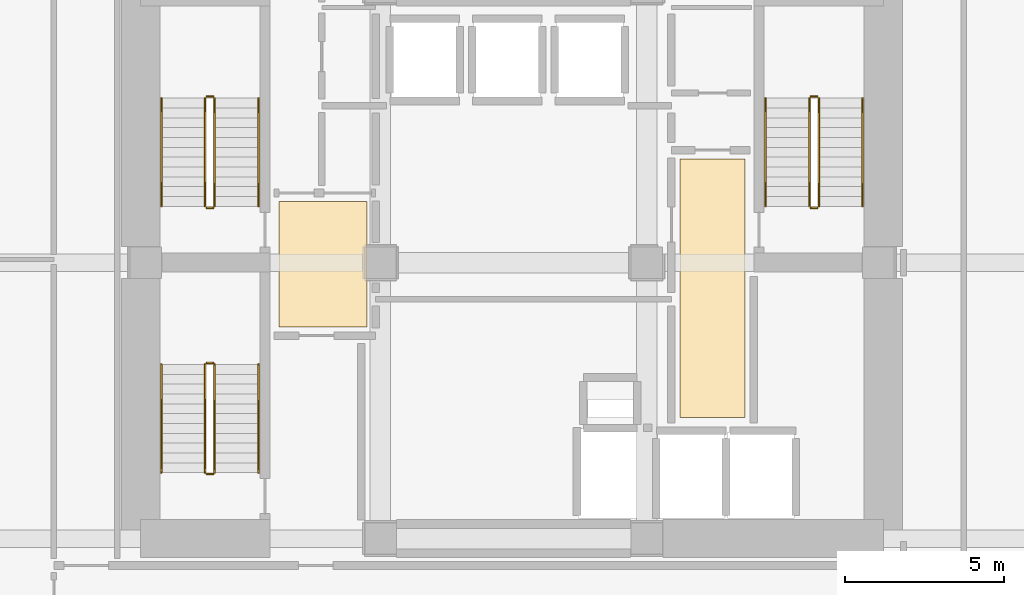
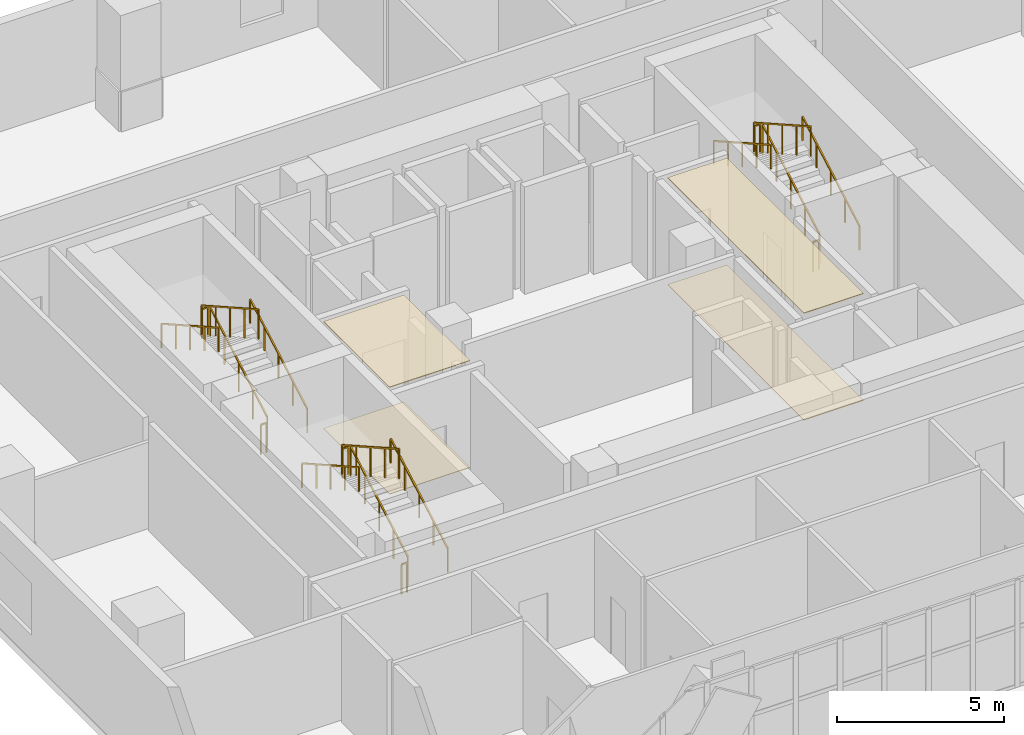
# One storey, part 18 of 20: 18 railings, 4 coverings.
"""IFC4 building model written with IfcOpenShell, lengths in metres."""

from ifc_helpers import new_model, si_unit, direction, frame, origin, origin_2d, place, context, subcontext, project, spatial, polyline, rectangle, outline, extrude, material, layer, layer_set, type_object, element, save


model = new_model("IFC4")

# Units and contexts
model_context = context("Model", 3, precision=1e-05, world=origin(), true_north=direction((0.0, 1.0)))
body_context = subcontext(model_context, "Body", "Model", "MODEL_VIEW")
ifc_project = project(units=[si_unit("LENGTHUNIT", "METRE"), si_unit("AREAUNIT", "SQUARE_METRE"), si_unit("VOLUMEUNIT", "CUBIC_METRE"), si_unit("PLANEANGLEUNIT", "RADIAN"), si_unit("MASSUNIT", "GRAM", prefix="KILO")], contexts=[model_context])

# Site, building, storey
site_placement = place(None, origin())
site = spatial("IfcSite", under=ifc_project, at=site_placement, CompositionType="ELEMENT")
building_placement = place(site_placement, origin())
building = spatial("IfcBuilding", under=site, at=building_placement, Name="Solanera Arch Residences", CompositionType="ELEMENT")
storey_placement = place(building_placement, frame((0.0, 0.0, 9.39990234375)))
storey = spatial("IfcBuildingStorey", under=building, at=storey_placement, Name="L02", CompositionType="ELEMENT", Elevation=9.39990234375)

# Coverings
ifc_material_1 = material(Name="Porcelain Acoustic Floor Tile", Category="ceramic")
ifc_layer_1 = layer(ifc_material_1, 0.02001953125)
ifc_layer_set_1 = layer_set([ifc_layer_1], Name="Porcelain Acoustic Floor Tile")
covering_type_1 = type_object("IfcCoveringType", Name="Porcelain Acoustic Floor Finish FLR-20", PredefinedType="FLOORING", material=ifc_layer_set_1)
covering_1_placement = place(storey_placement, origin())
element("IfcCovering", 1, at=covering_1_placement, inside=storey, type_object=covering_type_1, Name="L02-FFL-W Porcelain Floor Finish", PredefinedType="FLOORING", context=body_context, shape_type="SweptSolid", body=[
    extrude(outline(polyline([(20.375, 28.675048828125), (17.594970703125, 28.675048828125), (17.594970703125, 32.625), (20.375, 32.625), (20.375, 28.675048828125)])), origin(), (0.0, 0.0, 1.0), 0.02001953125),
])
covering_2_placement = place(storey_placement, origin())
element("IfcCovering", 2, at=covering_2_placement, inside=storey, type_object=covering_type_1, Name="L02-FFL-E Porcelain Floor Finish", PredefinedType="FLOORING", context=body_context, shape_type="SweptSolid", body=[
    extrude(outline(polyline([(32.304931640625, 25.824951171875), (30.25, 25.824951171875), (30.25, 33.97509765625), (32.304931640625, 33.97509765625), (32.304931640625, 25.824951171875)])), origin(), (0.0, 0.0, 1.0), 0.02001953125),
])

# Railings
ifc_material_2 = material(Name="Steel S355 (ASTM A992 / A572 Grade 50)", Category="steel")
railing_type_1 = type_object("IfcRailingType", Name="Stair Guardrail GR-1100", PredefinedType="GUARDRAIL", material=ifc_material_2)
railing_1_placement = place(storey_placement, frame((15.570068359375, 32.47998046875, 0.16015625)))
element("IfcRailing", 3, at=railing_1_placement, inside=storey, type_object=railing_type_1, Name="L02 ST-T1 stair guard 1", PredefinedType="GUARDRAIL", context=body_context, shape_type="SweptSolid", body=[
    extrude(rectangle(XDim=0.048095703125, YDim=0.048095703125, at=origin_2d()), frame((0.0, 0.0, 1.076171875), z_axis=(0.0, 0.87081354652, 0.491613432685), x_axis=(-1.0, 0.0, 0.0)), (0.0, 0.0, 1.0), 3.915771484375),
    extrude(rectangle(XDim=0.0419921875, YDim=0.0419921875, at=origin_2d()), origin(), (0.0, 0.0, 1.0), 1.052001953125),
    extrude(rectangle(XDim=0.0419921875, YDim=0.0419921875, at=origin_2d()), frame((0.0, 0.8525390625, 0.481201171875)), (0.0, 0.0, 1.0), 1.052001953125),
    extrude(rectangle(XDim=0.0419921875, YDim=0.0419921875, at=origin_2d()), frame((0.0, 1.705078125, 0.96240234375)), (0.0, 0.0, 1.0), 1.052001953125),
    extrude(rectangle(XDim=0.0419921875, YDim=0.0419921875, at=origin_2d()), frame((0.0, 2.557373046875, 1.44384765625)), (0.0, 0.0, 1.0), 1.052001953125),
    extrude(rectangle(XDim=0.0419921875, YDim=0.0419921875, at=origin_2d()), frame((0.0, 3.409912109375, 1.925048828125)), (0.0, 0.0, 1.0), 1.052001953125),
])
railing_2_placement = place(storey_placement, frame((15.52001953125, 35.93994140625, 2.085205078125)))
element("IfcRailing", 4, at=railing_2_placement, inside=storey, type_object=railing_type_1, Name="L02 ST-T1 stair guard 2", PredefinedType="GUARDRAIL", context=body_context, shape_type="SweptSolid", body=[
    extrude(rectangle(XDim=0.048095703125, YDim=0.048095703125, at=origin_2d()), frame((0.0, 0.0, 1.076171875), z_axis=(-1.0, 0.0, 0.0), x_axis=(0.0, -1.0, 0.0)), (0.0, 0.0, 1.0), 0.199951171875),
    extrude(rectangle(XDim=0.0419921875, YDim=0.0419921875, at=origin_2d()), origin(), (0.0, 0.0, 1.0), 1.052001953125),
    extrude(rectangle(XDim=0.0419921875, YDim=0.0419921875, at=origin_2d()), frame((-0.199951171875, 0.0, 0.0)), (0.0, 0.0, 1.0), 1.052001953125),
])
railing_3_placement = place(storey_placement, frame((15.27001953125, 35.889892578125, 2.260009765625)))
element("IfcRailing", 5, at=railing_3_placement, inside=storey, type_object=railing_type_1, Name="L02 ST-T1 stair guard 3", PredefinedType="GUARDRAIL", context=body_context, shape_type="SweptSolid", body=[
    extrude(rectangle(XDim=0.048095703125, YDim=0.048095703125, at=origin_2d()), frame((0.0, 0.0, 1.076171875), z_axis=(0.0, -0.87081354652, 0.491613432685), x_axis=(1.0, 0.0, 0.0)), (0.0, 0.0, 1.0), 3.915771484375),
    extrude(rectangle(XDim=0.0419921875, YDim=0.0419921875, at=origin_2d()), origin(), (0.0, 0.0, 1.0), 1.052001953125),
    extrude(rectangle(XDim=0.0419921875, YDim=0.0419921875, at=origin_2d()), frame((0.0, -0.8525390625, 0.481201171875)), (0.0, 0.0, 1.0), 1.052001953125),
    extrude(rectangle(XDim=0.0419921875, YDim=0.0419921875, at=origin_2d()), frame((0.0, -1.705078125, 0.96240234375)), (0.0, 0.0, 1.0), 1.052001953125),
    extrude(rectangle(XDim=0.0419921875, YDim=0.0419921875, at=origin_2d()), frame((0.0, -2.557373046875, 1.44384765625)), (0.0, 0.0, 1.0), 1.052001953125),
    extrude(rectangle(XDim=0.0419921875, YDim=0.0419921875, at=origin_2d()), frame((0.0, -3.409912109375, 1.925048828125)), (0.0, 0.0, 1.0), 1.052001953125),
])
railing_4_placement = place(storey_placement, frame((15.52001953125, 32.429931640625, -0.014892578125)))
element("IfcRailing", 6, at=railing_4_placement, inside=storey, type_object=railing_type_1, Name="L02 ST-T1 stair guard 4", PredefinedType="GUARDRAIL", context=body_context, shape_type="SweptSolid", body=[
    extrude(rectangle(XDim=0.048095703125, YDim=0.048095703125, at=origin_2d()), frame((0.0, 0.0, 1.076171875), z_axis=(-1.0, 0.0, 0.0), x_axis=(0.0, -1.0, 0.0)), (0.0, 0.0, 1.0), 0.199951171875),
    extrude(rectangle(XDim=0.0419921875, YDim=0.0419921875, at=origin_2d()), origin(), (0.0, 0.0, 1.0), 1.052001953125),
    extrude(rectangle(XDim=0.0419921875, YDim=0.0419921875, at=origin_2d()), frame((-0.199951171875, 0.0, 0.0)), (0.0, 0.0, 1.0), 1.052001953125),
])
railing_5_placement = place(storey_placement, frame((34.6298828125, 32.47998046875, 0.16015625)))
element("IfcRailing", 7, at=railing_5_placement, inside=storey, type_object=railing_type_1, Name="L02 ST-T2 stair guard 1", PredefinedType="GUARDRAIL", context=body_context, shape_type="SweptSolid", body=[
    extrude(rectangle(XDim=0.048095703125, YDim=0.048095703125, at=origin_2d()), frame((0.0, 0.0, 1.076171875), z_axis=(0.0, 0.87081354652, 0.491613432685), x_axis=(-1.0, 0.0, 0.0)), (0.0, 0.0, 1.0), 3.915771484375),
    extrude(rectangle(XDim=0.0419921875, YDim=0.0419921875, at=origin_2d()), origin(), (0.0, 0.0, 1.0), 1.052001953125),
    extrude(rectangle(XDim=0.0419921875, YDim=0.0419921875, at=origin_2d()), frame((0.0, 0.8525390625, 0.481201171875)), (0.0, 0.0, 1.0), 1.052001953125),
    extrude(rectangle(XDim=0.0419921875, YDim=0.0419921875, at=origin_2d()), frame((0.0, 1.705078125, 0.96240234375)), (0.0, 0.0, 1.0), 1.052001953125),
    extrude(rectangle(XDim=0.0419921875, YDim=0.0419921875, at=origin_2d()), frame((0.0, 2.557373046875, 1.44384765625)), (0.0, 0.0, 1.0), 1.052001953125),
    extrude(rectangle(XDim=0.0419921875, YDim=0.0419921875, at=origin_2d()), frame((0.0, 3.409912109375, 1.925048828125)), (0.0, 0.0, 1.0), 1.052001953125),
])
railing_6_placement = place(storey_placement, frame((34.580078125, 35.93994140625, 2.085205078125)))
element("IfcRailing", 8, at=railing_6_placement, inside=storey, type_object=railing_type_1, Name="L02 ST-T2 stair guard 2", PredefinedType="GUARDRAIL", context=body_context, shape_type="SweptSolid", body=[
    extrude(rectangle(XDim=0.048095703125, YDim=0.048095703125, at=origin_2d()), frame((0.0, 0.0, 1.076171875), z_axis=(-1.0, 0.0, 0.0), x_axis=(0.0, -1.0, 0.0)), (0.0, 0.0, 1.0), 0.2001953125),
    extrude(rectangle(XDim=0.0419921875, YDim=0.0419921875, at=origin_2d()), origin(), (0.0, 0.0, 1.0), 1.052001953125),
    extrude(rectangle(XDim=0.0419921875, YDim=0.0419921875, at=origin_2d()), frame((-0.2001953125, 0.0, 0.0)), (0.0, 0.0, 1.0), 1.052001953125),
])
railing_7_placement = place(storey_placement, frame((34.330078125, 35.889892578125, 2.260009765625)))
element("IfcRailing", 9, at=railing_7_placement, inside=storey, type_object=railing_type_1, Name="L02 ST-T2 stair guard 3", PredefinedType="GUARDRAIL", context=body_context, shape_type="SweptSolid", body=[
    extrude(rectangle(XDim=0.048095703125, YDim=0.048095703125, at=origin_2d()), frame((0.0, 0.0, 1.076171875), z_axis=(0.0, -0.87081354652, 0.491613432685), x_axis=(1.0, 0.0, 0.0)), (0.0, 0.0, 1.0), 3.915771484375),
    extrude(rectangle(XDim=0.0419921875, YDim=0.0419921875, at=origin_2d()), origin(), (0.0, 0.0, 1.0), 1.052001953125),
    extrude(rectangle(XDim=0.0419921875, YDim=0.0419921875, at=origin_2d()), frame((0.0, -0.8525390625, 0.481201171875)), (0.0, 0.0, 1.0), 1.052001953125),
    extrude(rectangle(XDim=0.0419921875, YDim=0.0419921875, at=origin_2d()), frame((0.0, -1.705078125, 0.96240234375)), (0.0, 0.0, 1.0), 1.052001953125),
    extrude(rectangle(XDim=0.0419921875, YDim=0.0419921875, at=origin_2d()), frame((0.0, -2.557373046875, 1.44384765625)), (0.0, 0.0, 1.0), 1.052001953125),
    extrude(rectangle(XDim=0.0419921875, YDim=0.0419921875, at=origin_2d()), frame((0.0, -3.409912109375, 1.925048828125)), (0.0, 0.0, 1.0), 1.052001953125),
])
railing_8_placement = place(storey_placement, frame((34.580078125, 32.429931640625, -0.014892578125)))
element("IfcRailing", 10, at=railing_8_placement, inside=storey, type_object=railing_type_1, Name="L02 ST-T2 stair guard 4", PredefinedType="GUARDRAIL", context=body_context, shape_type="SweptSolid", body=[
    extrude(rectangle(XDim=0.048095703125, YDim=0.048095703125, at=origin_2d()), frame((0.0, 0.0, 1.076171875), z_axis=(-1.0, 0.0, 0.0), x_axis=(0.0, -1.0, 0.0)), (0.0, 0.0, 1.0), 0.2001953125),
    extrude(rectangle(XDim=0.0419921875, YDim=0.0419921875, at=origin_2d()), origin(), (0.0, 0.0, 1.0), 1.052001953125),
    extrude(rectangle(XDim=0.0419921875, YDim=0.0419921875, at=origin_2d()), frame((-0.2001953125, 0.0, 0.0)), (0.0, 0.0, 1.0), 1.052001953125),
])
railing_9_placement = place(storey_placement, frame((15.570068359375, 24.080078125, 0.16015625)))
element("IfcRailing", 11, at=railing_9_placement, inside=storey, type_object=railing_type_1, Name="L02 ST-T3 stair guard 1", PredefinedType="GUARDRAIL", context=body_context, shape_type="SweptSolid", body=[
    extrude(rectangle(XDim=0.048095703125, YDim=0.048095703125, at=origin_2d()), frame((0.0, 0.0, 1.076171875), z_axis=(0.0, 0.87081354652, 0.491613432685), x_axis=(-1.0, 0.0, 0.0)), (0.0, 0.0, 1.0), 3.915771484375),
    extrude(rectangle(XDim=0.0419921875, YDim=0.0419921875, at=origin_2d()), origin(), (0.0, 0.0, 1.0), 1.052001953125),
    extrude(rectangle(XDim=0.0419921875, YDim=0.0419921875, at=origin_2d()), frame((0.0, 0.8525390625, 0.481201171875)), (0.0, 0.0, 1.0), 1.052001953125),
    extrude(rectangle(XDim=0.0419921875, YDim=0.0419921875, at=origin_2d()), frame((0.0, 1.705078125, 0.96240234375)), (0.0, 0.0, 1.0), 1.052001953125),
    extrude(rectangle(XDim=0.0419921875, YDim=0.0419921875, at=origin_2d()), frame((0.0, 2.557373046875, 1.44384765625)), (0.0, 0.0, 1.0), 1.052001953125),
    extrude(rectangle(XDim=0.0419921875, YDim=0.0419921875, at=origin_2d()), frame((0.0, 3.409912109375, 1.925048828125)), (0.0, 0.0, 1.0), 1.052001953125),
])
railing_10_placement = place(storey_placement, frame((15.52001953125, 27.5400390625, 2.085205078125)))
element("IfcRailing", 12, at=railing_10_placement, inside=storey, type_object=railing_type_1, Name="L02 ST-T3 stair guard 2", PredefinedType="GUARDRAIL", context=body_context, shape_type="SweptSolid", body=[
    extrude(rectangle(XDim=0.048095703125, YDim=0.048095703125, at=origin_2d()), frame((0.0, 0.0, 1.076171875), z_axis=(-1.0, 0.0, 0.0), x_axis=(0.0, -1.0, 0.0)), (0.0, 0.0, 1.0), 0.199951171875),
    extrude(rectangle(XDim=0.0419921875, YDim=0.0419921875, at=origin_2d()), origin(), (0.0, 0.0, 1.0), 1.052001953125),
    extrude(rectangle(XDim=0.0419921875, YDim=0.0419921875, at=origin_2d()), frame((-0.199951171875, 0.0, 0.0)), (0.0, 0.0, 1.0), 1.052001953125),
])
railing_11_placement = place(storey_placement, frame((15.27001953125, 27.489990234375, 2.260009765625)))
element("IfcRailing", 13, at=railing_11_placement, inside=storey, type_object=railing_type_1, Name="L02 ST-T3 stair guard 3", PredefinedType="GUARDRAIL", context=body_context, shape_type="SweptSolid", body=[
    extrude(rectangle(XDim=0.048095703125, YDim=0.048095703125, at=origin_2d()), frame((0.0, 0.0, 1.076171875), z_axis=(0.0, -0.87081354652, 0.491613432685), x_axis=(1.0, 0.0, 0.0)), (0.0, 0.0, 1.0), 3.915771484375),
    extrude(rectangle(XDim=0.0419921875, YDim=0.0419921875, at=origin_2d()), origin(), (0.0, 0.0, 1.0), 1.052001953125),
    extrude(rectangle(XDim=0.0419921875, YDim=0.0419921875, at=origin_2d()), frame((0.0, -0.8525390625, 0.481201171875)), (0.0, 0.0, 1.0), 1.052001953125),
    extrude(rectangle(XDim=0.0419921875, YDim=0.0419921875, at=origin_2d()), frame((0.0, -1.705078125, 0.96240234375)), (0.0, 0.0, 1.0), 1.052001953125),
    extrude(rectangle(XDim=0.0419921875, YDim=0.0419921875, at=origin_2d()), frame((0.0, -2.557373046875, 1.44384765625)), (0.0, 0.0, 1.0), 1.052001953125),
    extrude(rectangle(XDim=0.0419921875, YDim=0.0419921875, at=origin_2d()), frame((0.0, -3.409912109375, 1.925048828125)), (0.0, 0.0, 1.0), 1.052001953125),
])
railing_12_placement = place(storey_placement, frame((15.52001953125, 24.030029296875, -0.014892578125)))
element("IfcRailing", 14, at=railing_12_placement, inside=storey, type_object=railing_type_1, Name="L02 ST-T3 stair guard 4", PredefinedType="GUARDRAIL", context=body_context, shape_type="SweptSolid", body=[
    extrude(rectangle(XDim=0.048095703125, YDim=0.048095703125, at=origin_2d()), frame((0.0, 0.0, 1.076171875), z_axis=(-1.0, 0.0, 0.0), x_axis=(0.0, -1.0, 0.0)), (0.0, 0.0, 1.0), 0.199951171875),
    extrude(rectangle(XDim=0.0419921875, YDim=0.0419921875, at=origin_2d()), origin(), (0.0, 0.0, 1.0), 1.052001953125),
    extrude(rectangle(XDim=0.0419921875, YDim=0.0419921875, at=origin_2d()), frame((-0.199951171875, 0.0, 0.0)), (0.0, 0.0, 1.0), 1.052001953125),
])
ifc_material_3 = material(Name="Steel S355 (ASTM A992 / A572 Grade 50)", Category="steel")
railing_type_2 = type_object("IfcRailingType", Name="Stair Wall Handrail HR-920", PredefinedType="HANDRAIL", material=ifc_material_3)
railing_13_placement = place(storey_placement, frame((16.949951171875, 32.47998046875, 0.175048828125)))
element("IfcRailing", 15, at=railing_13_placement, inside=storey, type_object=railing_type_2, Name="L02 ST-T1 stair handrail 1", PredefinedType="HANDRAIL", context=body_context, shape_type="SweptSolid", body=[
    extrude(rectangle(XDim=0.048095703125, YDim=0.048095703125, at=origin_2d()), frame((0.0, 0.0, 0.8759765625), z_axis=(0.0, 0.87081354652, 0.491613432685), x_axis=(-1.0, 0.0, 0.0)), (0.0, 0.0, 1.0), 3.915771484375),
    extrude(rectangle(XDim=0.0419921875, YDim=0.0419921875, at=origin_2d()), origin(), (0.0, 0.0, 1.0), 0.851806640625),
    extrude(rectangle(XDim=0.0419921875, YDim=0.0419921875, at=origin_2d()), frame((0.0, 0.8525390625, 0.481201171875)), (0.0, 0.0, 1.0), 0.851806640625),
    extrude(rectangle(XDim=0.0419921875, YDim=0.0419921875, at=origin_2d()), frame((0.0, 1.705078125, 0.96240234375)), (0.0, 0.0, 1.0), 0.851806640625),
    extrude(rectangle(XDim=0.0419921875, YDim=0.0419921875, at=origin_2d()), frame((0.0, 2.557373046875, 1.44384765625)), (0.0, 0.0, 1.0), 0.851806640625),
    extrude(rectangle(XDim=0.0419921875, YDim=0.0419921875, at=origin_2d()), frame((0.0, 3.409912109375, 1.925048828125)), (0.0, 0.0, 1.0), 0.851806640625),
])
railing_14_placement = place(storey_placement, frame((13.889892578125, 35.889892578125, 2.275146484375)))
element("IfcRailing", 16, at=railing_14_placement, inside=storey, type_object=railing_type_2, Name="L02 ST-T1 stair handrail 2", PredefinedType="HANDRAIL", context=body_context, shape_type="SweptSolid", body=[
    extrude(rectangle(XDim=0.048095703125, YDim=0.048095703125, at=origin_2d()), frame((0.0, 0.0, 0.8759765625), z_axis=(0.0, -0.87081354652, 0.491613432685), x_axis=(1.0, 0.0, 0.0)), (0.0, 0.0, 1.0), 3.915771484375),
    extrude(rectangle(XDim=0.0419921875, YDim=0.0419921875, at=origin_2d()), origin(), (0.0, 0.0, 1.0), 0.851806640625),
    extrude(rectangle(XDim=0.0419921875, YDim=0.0419921875, at=origin_2d()), frame((0.0, -0.8525390625, 0.481201171875)), (0.0, 0.0, 1.0), 0.851806640625),
    extrude(rectangle(XDim=0.0419921875, YDim=0.0419921875, at=origin_2d()), frame((0.0, -1.705078125, 0.96240234375)), (0.0, 0.0, 1.0), 0.851806640625),
    extrude(rectangle(XDim=0.0419921875, YDim=0.0419921875, at=origin_2d()), frame((0.0, -2.557373046875, 1.44384765625)), (0.0, 0.0, 1.0), 0.851806640625),
    extrude(rectangle(XDim=0.0419921875, YDim=0.0419921875, at=origin_2d()), frame((0.0, -3.409912109375, 1.925048828125)), (0.0, 0.0, 1.0), 0.851806640625),
])
railing_15_placement = place(storey_placement, frame((36.010009765625, 32.47998046875, 0.175048828125)))
element("IfcRailing", 17, at=railing_15_placement, inside=storey, type_object=railing_type_2, Name="L02 ST-T2 stair handrail 1", PredefinedType="HANDRAIL", context=body_context, shape_type="SweptSolid", body=[
    extrude(rectangle(XDim=0.048095703125, YDim=0.048095703125, at=origin_2d()), frame((0.0, 0.0, 0.8759765625), z_axis=(0.0, 0.87081354652, 0.491613432685), x_axis=(-1.0, 0.0, 0.0)), (0.0, 0.0, 1.0), 3.915771484375),
    extrude(rectangle(XDim=0.0419921875, YDim=0.0419921875, at=origin_2d()), origin(), (0.0, 0.0, 1.0), 0.851806640625),
    extrude(rectangle(XDim=0.0419921875, YDim=0.0419921875, at=origin_2d()), frame((0.0, 0.8525390625, 0.481201171875)), (0.0, 0.0, 1.0), 0.851806640625),
    extrude(rectangle(XDim=0.0419921875, YDim=0.0419921875, at=origin_2d()), frame((0.0, 1.705078125, 0.96240234375)), (0.0, 0.0, 1.0), 0.851806640625),
    extrude(rectangle(XDim=0.0419921875, YDim=0.0419921875, at=origin_2d()), frame((0.0, 2.557373046875, 1.44384765625)), (0.0, 0.0, 1.0), 0.851806640625),
    extrude(rectangle(XDim=0.0419921875, YDim=0.0419921875, at=origin_2d()), frame((0.0, 3.409912109375, 1.925048828125)), (0.0, 0.0, 1.0), 0.851806640625),
])
railing_16_placement = place(storey_placement, frame((32.949951171875, 35.889892578125, 2.275146484375)))
element("IfcRailing", 18, at=railing_16_placement, inside=storey, type_object=railing_type_2, Name="L02 ST-T2 stair handrail 2", PredefinedType="HANDRAIL", context=body_context, shape_type="SweptSolid", body=[
    extrude(rectangle(XDim=0.048095703125, YDim=0.048095703125, at=origin_2d()), frame((0.0, 0.0, 0.8759765625), z_axis=(0.0, -0.87081354652, 0.491613432685), x_axis=(1.0, 0.0, 0.0)), (0.0, 0.0, 1.0), 3.915771484375),
    extrude(rectangle(XDim=0.0419921875, YDim=0.0419921875, at=origin_2d()), origin(), (0.0, 0.0, 1.0), 0.851806640625),
    extrude(rectangle(XDim=0.0419921875, YDim=0.0419921875, at=origin_2d()), frame((0.0, -0.8525390625, 0.481201171875)), (0.0, 0.0, 1.0), 0.851806640625),
    extrude(rectangle(XDim=0.0419921875, YDim=0.0419921875, at=origin_2d()), frame((0.0, -1.705078125, 0.96240234375)), (0.0, 0.0, 1.0), 0.851806640625),
    extrude(rectangle(XDim=0.0419921875, YDim=0.0419921875, at=origin_2d()), frame((0.0, -2.557373046875, 1.44384765625)), (0.0, 0.0, 1.0), 0.851806640625),
    extrude(rectangle(XDim=0.0419921875, YDim=0.0419921875, at=origin_2d()), frame((0.0, -3.409912109375, 1.925048828125)), (0.0, 0.0, 1.0), 0.851806640625),
])
railing_17_placement = place(storey_placement, frame((16.949951171875, 24.080078125, 0.175048828125)))
element("IfcRailing", 19, at=railing_17_placement, inside=storey, type_object=railing_type_2, Name="L02 ST-T3 stair handrail 1", PredefinedType="HANDRAIL", context=body_context, shape_type="SweptSolid", body=[
    extrude(rectangle(XDim=0.048095703125, YDim=0.048095703125, at=origin_2d()), frame((0.0, 0.0, 0.8759765625), z_axis=(0.0, 0.87081354652, 0.491613432685), x_axis=(-1.0, 0.0, 0.0)), (0.0, 0.0, 1.0), 3.915771484375),
    extrude(rectangle(XDim=0.0419921875, YDim=0.0419921875, at=origin_2d()), origin(), (0.0, 0.0, 1.0), 0.851806640625),
    extrude(rectangle(XDim=0.0419921875, YDim=0.0419921875, at=origin_2d()), frame((0.0, 0.8525390625, 0.481201171875)), (0.0, 0.0, 1.0), 0.851806640625),
    extrude(rectangle(XDim=0.0419921875, YDim=0.0419921875, at=origin_2d()), frame((0.0, 1.705078125, 0.96240234375)), (0.0, 0.0, 1.0), 0.851806640625),
    extrude(rectangle(XDim=0.0419921875, YDim=0.0419921875, at=origin_2d()), frame((0.0, 2.557373046875, 1.44384765625)), (0.0, 0.0, 1.0), 0.851806640625),
    extrude(rectangle(XDim=0.0419921875, YDim=0.0419921875, at=origin_2d()), frame((0.0, 3.409912109375, 1.925048828125)), (0.0, 0.0, 1.0), 0.851806640625),
])
railing_18_placement = place(storey_placement, frame((13.889892578125, 27.489990234375, 2.275146484375)))
element("IfcRailing", 20, at=railing_18_placement, inside=storey, type_object=railing_type_2, Name="L02 ST-T3 stair handrail 2", PredefinedType="HANDRAIL", context=body_context, shape_type="SweptSolid", body=[
    extrude(rectangle(XDim=0.048095703125, YDim=0.048095703125, at=origin_2d()), frame((0.0, 0.0, 0.8759765625), z_axis=(0.0, -0.87081354652, 0.491613432685), x_axis=(1.0, 0.0, 0.0)), (0.0, 0.0, 1.0), 3.915771484375),
    extrude(rectangle(XDim=0.0419921875, YDim=0.0419921875, at=origin_2d()), origin(), (0.0, 0.0, 1.0), 0.851806640625),
    extrude(rectangle(XDim=0.0419921875, YDim=0.0419921875, at=origin_2d()), frame((0.0, -0.8525390625, 0.481201171875)), (0.0, 0.0, 1.0), 0.851806640625),
    extrude(rectangle(XDim=0.0419921875, YDim=0.0419921875, at=origin_2d()), frame((0.0, -1.705078125, 0.96240234375)), (0.0, 0.0, 1.0), 0.851806640625),
    extrude(rectangle(XDim=0.0419921875, YDim=0.0419921875, at=origin_2d()), frame((0.0, -2.557373046875, 1.44384765625)), (0.0, 0.0, 1.0), 0.851806640625),
    extrude(rectangle(XDim=0.0419921875, YDim=0.0419921875, at=origin_2d()), frame((0.0, -3.409912109375, 1.925048828125)), (0.0, 0.0, 1.0), 0.851806640625),
])

# Coverings
ifc_material_4 = material(Name="Mineral Fibre Acoustic Ceiling Board", Category="gypsum")
ifc_layer_2 = layer(ifc_material_4, 0.02490234375)
ifc_layer_set_2 = layer_set([ifc_layer_2], Name="Mineral Fibre Acoustic Ceiling Board")
covering_type_2 = type_object("IfcCoveringType", Name="Suspended Acoustic Ceiling Board CLG-25", PredefinedType="CEILING", material=ifc_layer_set_2)
covering_3_placement = place(storey_placement, frame((0.0, 0.0, 3.89501953125)))
element("IfcCovering", 21, at=covering_3_placement, inside=storey, type_object=covering_type_2, Name="L02-FFL-W Acoustic Ceiling", PredefinedType="CEILING", context=body_context, shape_type="SweptSolid", body=[
    extrude(outline(polyline([(20.375, 28.675048828125), (17.594970703125, 28.675048828125), (17.594970703125, 32.625), (20.375, 32.625), (20.375, 28.675048828125)])), origin(), (0.0, 0.0, 1.0), 0.025146484375),
])
covering_4_placement = place(storey_placement, frame((0.0, 0.0, 3.89501953125)))
element("IfcCovering", 22, at=covering_4_placement, inside=storey, type_object=covering_type_2, Name="L02-FFL-E Acoustic Ceiling", PredefinedType="CEILING", context=body_context, shape_type="SweptSolid", body=[
    extrude(outline(polyline([(32.304931640625, 25.824951171875), (30.25, 25.824951171875), (30.25, 33.97509765625), (32.304931640625, 33.97509765625), (32.304931640625, 25.824951171875)])), origin(), (0.0, 0.0, 1.0), 0.025146484375),
])

save(model, "model.ifc")
